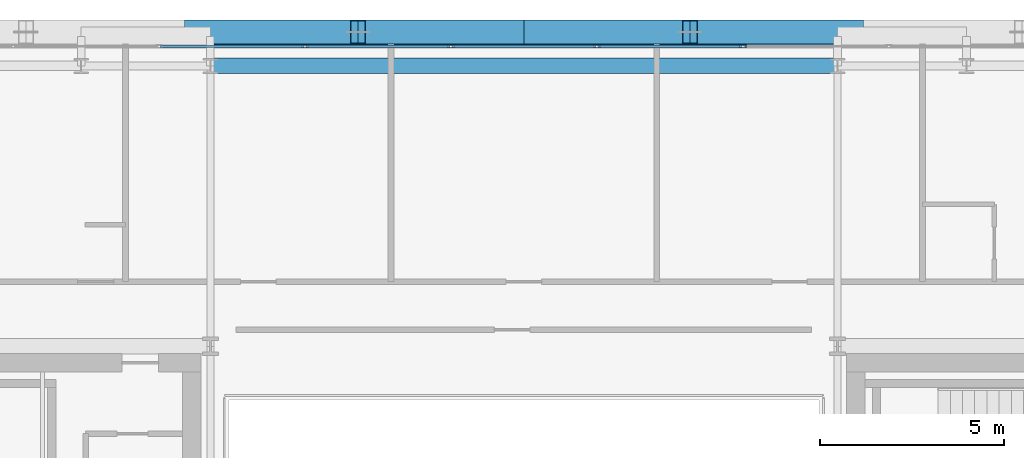
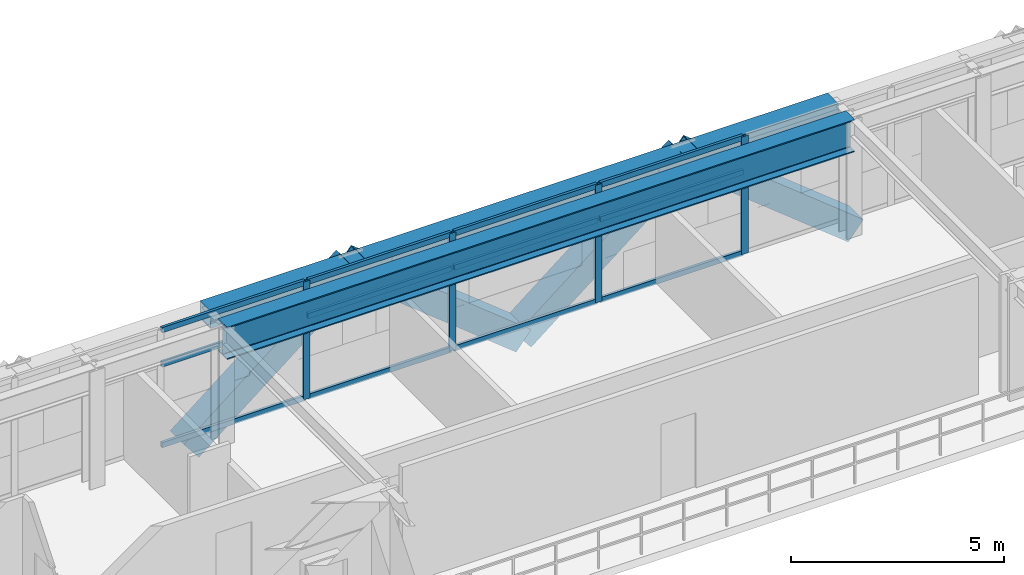
# One storey, part 17 of 30: 20 members, 2 beams, 1 element without a shape of its own.
"""IFC4 building model written with IfcOpenShell, lengths in metres."""

from ifc_helpers import new_model, si_unit, direction, frame, origin, origin_2d, place, context, subcontext, project, spatial, hollow_rectangle, i_section, extrude, source, transform, mapped, material, layer, layer_set, material_profile, profile_set, type_object, element, aggregate, save


model = new_model("IFC4")

# Units and contexts
model_context = context("Model", 3, precision=1e-05, world=origin(), true_north=direction((0.0, 1.0)))
body_context = subcontext(model_context, "Body", "Model", "MODEL_VIEW")
ifc_project = project(units=[si_unit("LENGTHUNIT", "METRE"), si_unit("AREAUNIT", "SQUARE_METRE"), si_unit("VOLUMEUNIT", "CUBIC_METRE"), si_unit("PLANEANGLEUNIT", "RADIAN"), si_unit("MASSUNIT", "GRAM", prefix="KILO")], contexts=[model_context])

# Site, building, storey
site_placement = place(None, origin())
site = spatial("IfcSite", under=ifc_project, at=site_placement, CompositionType="ELEMENT")
building_placement = place(site_placement, origin())
building = spatial("IfcBuilding", under=site, at=building_placement, Name="Ocotamira Hotel", CompositionType="ELEMENT")
storey_placement = place(building_placement, frame((0.0, 0.0, 195.60009765625)))
storey = spatial("IfcBuildingStorey", under=building, at=storey_placement, Name="L49", CompositionType="ELEMENT", Elevation=195.60009765625)

# Beams
ifc_material_1 = material(Name="Steel ASTM A992 Grade 50", Category="steel")
ifc_material_profile_1 = material_profile(ifc_material_1, i_section(OverallWidth=0.41796875, OverallDepth=0.927001953125, WebThickness=0.019287109375, FlangeThickness=0.031982421875, FilletRadius=0.02392578125, at=origin_2d()), Name="W36X231")
ifc_profile_set_1 = profile_set([ifc_material_profile_1], Name="Steel ASTM A992 Grade 50")
beam_type_1 = type_object("IfcBeamType", Name="BM-GIRD-W36X231", PredefinedType="BEAM", material=ifc_profile_set_1)
shared_shape_1 = source(origin(), body_context, "Body", "SweptSolid", [
    extrude(i_section(OverallWidth=0.41796875, OverallDepth=0.927001953125, WebThickness=0.019287109375, FlangeThickness=0.031982421875, FilletRadius=0.02392578125, at=origin_2d()), origin(), (0.0, 0.0, 1.0), 17.0),
])
beam_1_placement = place(storey_placement, frame((23.5, 45.050048828125, 2.906494140625), z_axis=(1.0, 0.0, 0.0), x_axis=(0.0, 1.0, 0.0)))
element("IfcBeam", 1, at=beam_1_placement, inside=storey, type_object=beam_type_1, Name="L49 Girder Y45.05 X23.5-40.5", PredefinedType="BEAM", context=body_context, shape_type="MappedRepresentation", body=[
    mapped(shared_shape_1, transform((0.0, 0.0, 0.0), scale=1.0)),
])
ifc_material_2 = material(Name="Steel ASTM A500 Grade C", Category="steel")
ifc_material_profile_2 = material_profile(ifc_material_2, hollow_rectangle(XDim=0.5, YDim=0.5, WallThickness=0.02001953125, at=origin_2d()), Name="HSS500X500X20")
ifc_profile_set_2 = profile_set([ifc_material_profile_2], Name="Steel ASTM A500 Grade C")
beam_type_2 = type_object("IfcBeamType", Name="BM-SPAN-HSS500", PredefinedType="USERDEFINED", material=ifc_profile_set_2)
shared_shape_2 = source(origin(), body_context, "Body", "SweptSolid", [
    extrude(hollow_rectangle(XDim=0.5, YDim=0.5, WallThickness=0.02001953125, at=origin_2d()), origin(), (0.0, 0.0, 1.0), 17.0),
])
beam_2_placement = place(storey_placement, frame((23.5, 45.85009765625, 3.119873046875), z_axis=(1.0, 0.0, 0.0), x_axis=(0.0, 1.0, 0.0)))
element("IfcBeam", 2, at=beam_2_placement, inside=storey, type_object=beam_type_2, Name="L49 Edge Spandrel N X23.5-40.5", ObjectType="SPANDREL", PredefinedType="USERDEFINED", context=body_context, shape_type="MappedRepresentation", body=[
    mapped(shared_shape_2, transform((0.0, 0.0, 0.0), scale=1.0)),
])

# Members
ifc_material_3 = material(Name="Pale-metal coated steel ASTM A913 Grade 65", Category="steel")
ifc_material_profile_3 = material_profile(ifc_material_3, hollow_rectangle(XDim=0.64990234375, YDim=0.64990234375, WallThickness=0.02197265625, at=origin_2d()), Name="BOX650X650X22")
ifc_profile_set_3 = profile_set([ifc_material_profile_3], Name="Pale-metal coated steel ASTM A913 Grade 65")
member_type_1 = type_object("IfcMemberType", Name="MEM-EXO-BOX650", PredefinedType="BRACE", material=ifc_profile_set_3)
shared_shape_3 = source(origin(), body_context, "Body", "SweptSolid", [
    extrude(hollow_rectangle(XDim=0.64990234375, YDim=0.64990234375, WallThickness=0.02197265625, at=origin_2d()), origin(), (0.0, 0.0, 1.0), 5.7626953125),
])
for number, where, z_axis, x_axis, name in (
    (3, (23.0, 45.969970703125, -0.47998046875), (0.780881208953, 0.0, 0.624679547852), (0.0, 1.0, 0.0), "L49 Exoskeleton Diagrid N1.1"),
    (4, (32.0, 45.969970703125, -0.47998046875), (-0.780881208953, 0.0, 0.624679547852), (0.0, -1.0, 0.0), "L49 Exoskeleton Diagrid N1.2"),
    (5, (32.0, 45.969970703125, -0.47998046875), (0.780881208953, 0.0, 0.624679547852), (0.0, 1.0, 0.0), "L49 Exoskeleton Diagrid N2.1"),
    (6, (41.0, 45.969970703125, -0.47998046875), (-0.780881208953, 0.0, 0.624679547852), (0.0, -1.0, 0.0), "L49 Exoskeleton Diagrid N2.2"),
):
    element("IfcMember", number, at=place(storey_placement, frame(where, z_axis=z_axis, x_axis=x_axis)), inside=storey, type_object=member_type_1, Name=name, PredefinedType="BRACE", context=body_context, shape_type="MappedRepresentation", body=[
        mapped(shared_shape_3, transform((0.0, 0.0, 0.0), scale=1.0)),
    ])

# Curtain wall, members
ifc_material_4 = material(Name="Anodised pale-metal aluminium and solar glass", Category="aluminium")
ifc_layer = layer(ifc_material_4, 0.199951171875)
ifc_layer_set = layer_set([ifc_layer], Name="Anodised pale-metal aluminium and solar glass")
curtain_wall_type = type_object("IfcCurtainWallType", Name="CW-SYS4-Z3", PredefinedType="NOTDEFINED", material=ifc_layer_set)
curtain_wall_placement = place(storey_placement, origin())
curtain_wall = element("IfcCurtainWall", 7, at=curtain_wall_placement, inside=storey, type_object=curtain_wall_type, Name="L49 Curtain Wall CW-4 CW-L49-N", PredefinedType="NOTDEFINED")
ifc_material_5 = material(Name="Anodised pale-metal aluminium 6063-T6", Category="aluminium")
ifc_material_profile_4 = material_profile(ifc_material_5, hollow_rectangle(XDim=0.074951171875, YDim=0.14990234375, WallThickness=0.006103515625, at=origin_2d()), Name="HSS150X75X6")
ifc_profile_set_4 = profile_set([ifc_material_profile_4], Name="Anodised pale-metal aluminium 6063-T6")
member_type_2 = type_object("IfcMemberType", Name="CWT-150X75", PredefinedType="USERDEFINED", material=ifc_profile_set_4)
shared_shape_4 = source(origin(), body_context, "Body", "SweptSolid", [
    extrude(hollow_rectangle(XDim=0.074951171875, YDim=0.14990234375, WallThickness=0.006103515625, at=origin_2d()), origin(), (0.0, 0.0, 1.0), 3.87548828125),
])
member_1_placement = place(storey_placement, frame((22.151123046875, 45.580078125, 0.037353515625), z_axis=(1.0, 0.0, 0.0), x_axis=(0.0, 1.0, 0.0)))
member_1 = element("IfcMember", 8, at=member_1_placement, type_object=member_type_2, Name="CW-4 transom 3.1", ObjectType="TRANSOM", PredefinedType="USERDEFINED", context=body_context, shape_type="MappedRepresentation", body=[
    mapped(shared_shape_4, transform((0.0, 0.0, 0.0), scale=1.0)),
])
member_2_placement = place(storey_placement, frame((22.151123046875, 45.580078125, 2.349853515625), z_axis=(1.0, 0.0, 0.0), x_axis=(0.0, 1.0, 0.0)))
member_2 = element("IfcMember", 9, at=member_2_placement, type_object=member_type_2, Name="CW-4 transom 3.2", ObjectType="TRANSOM", PredefinedType="USERDEFINED", context=body_context, shape_type="MappedRepresentation", body=[
    mapped(shared_shape_4, transform((0.0, 0.0, 0.0), scale=1.0)),
])
member_3_placement = place(storey_placement, frame((22.151123046875, 45.580078125, 3.33251953125), z_axis=(1.0, 0.0, 0.0), x_axis=(0.0, 1.0, 0.0)))
member_3 = element("IfcMember", 10, at=member_3_placement, type_object=member_type_2, Name="CW-4 transom 3.3", ObjectType="TRANSOM", PredefinedType="USERDEFINED", context=body_context, shape_type="MappedRepresentation", body=[
    mapped(shared_shape_4, transform((0.0, 0.0, 0.0), scale=1.0)),
])
member_4_placement = place(storey_placement, frame((26.106689453125, 45.580078125, 0.037353515625), z_axis=(1.0, 0.0, 0.0), x_axis=(0.0, 1.0, 0.0)))
member_4 = element("IfcMember", 11, at=member_4_placement, type_object=member_type_2, Name="CW-4 transom 4.1", ObjectType="TRANSOM", PredefinedType="USERDEFINED", context=body_context, shape_type="MappedRepresentation", body=[
    mapped(shared_shape_4, transform((0.0, 0.0, 0.0), scale=1.0)),
])
member_5_placement = place(storey_placement, frame((26.106689453125, 45.580078125, 2.349853515625), z_axis=(1.0, 0.0, 0.0), x_axis=(0.0, 1.0, 0.0)))
member_5 = element("IfcMember", 12, at=member_5_placement, type_object=member_type_2, Name="CW-4 transom 4.2", ObjectType="TRANSOM", PredefinedType="USERDEFINED", context=body_context, shape_type="MappedRepresentation", body=[
    mapped(shared_shape_4, transform((0.0, 0.0, 0.0), scale=1.0)),
])
member_6_placement = place(storey_placement, frame((26.106689453125, 45.580078125, 3.33251953125), z_axis=(1.0, 0.0, 0.0), x_axis=(0.0, 1.0, 0.0)))
member_6 = element("IfcMember", 13, at=member_6_placement, type_object=member_type_2, Name="CW-4 transom 4.3", ObjectType="TRANSOM", PredefinedType="USERDEFINED", context=body_context, shape_type="MappedRepresentation", body=[
    mapped(shared_shape_4, transform((0.0, 0.0, 0.0), scale=1.0)),
])
member_7_placement = place(storey_placement, frame((30.062255859375, 45.580078125, 0.037353515625), z_axis=(1.0, 0.0, 0.0), x_axis=(0.0, 1.0, 0.0)))
member_7 = element("IfcMember", 14, at=member_7_placement, type_object=member_type_2, Name="CW-4 transom 5.1", ObjectType="TRANSOM", PredefinedType="USERDEFINED", context=body_context, shape_type="MappedRepresentation", body=[
    mapped(shared_shape_4, transform((0.0, 0.0, 0.0), scale=1.0)),
])
member_8_placement = place(storey_placement, frame((30.062255859375, 45.580078125, 2.349853515625), z_axis=(1.0, 0.0, 0.0), x_axis=(0.0, 1.0, 0.0)))
member_8 = element("IfcMember", 15, at=member_8_placement, type_object=member_type_2, Name="CW-4 transom 5.2", ObjectType="TRANSOM", PredefinedType="USERDEFINED", context=body_context, shape_type="MappedRepresentation", body=[
    mapped(shared_shape_4, transform((0.0, 0.0, 0.0), scale=1.0)),
])
member_9_placement = place(storey_placement, frame((30.062255859375, 45.580078125, 3.33251953125), z_axis=(1.0, 0.0, 0.0), x_axis=(0.0, 1.0, 0.0)))
member_9 = element("IfcMember", 16, at=member_9_placement, type_object=member_type_2, Name="CW-4 transom 5.3", ObjectType="TRANSOM", PredefinedType="USERDEFINED", context=body_context, shape_type="MappedRepresentation", body=[
    mapped(shared_shape_4, transform((0.0, 0.0, 0.0), scale=1.0)),
])
member_10_placement = place(storey_placement, frame((34.017822265625, 45.580078125, 0.037353515625), z_axis=(1.0, 0.0, 0.0), x_axis=(0.0, 1.0, 0.0)))
member_10 = element("IfcMember", 17, at=member_10_placement, type_object=member_type_2, Name="CW-4 transom 6.1", ObjectType="TRANSOM", PredefinedType="USERDEFINED", context=body_context, shape_type="MappedRepresentation", body=[
    mapped(shared_shape_4, transform((0.0, 0.0, 0.0), scale=1.0)),
])
member_11_placement = place(storey_placement, frame((34.017822265625, 45.580078125, 2.349853515625), z_axis=(1.0, 0.0, 0.0), x_axis=(0.0, 1.0, 0.0)))
member_11 = element("IfcMember", 18, at=member_11_placement, type_object=member_type_2, Name="CW-4 transom 6.2", ObjectType="TRANSOM", PredefinedType="USERDEFINED", context=body_context, shape_type="MappedRepresentation", body=[
    mapped(shared_shape_4, transform((0.0, 0.0, 0.0), scale=1.0)),
])
member_12_placement = place(storey_placement, frame((34.017822265625, 45.580078125, 3.33251953125), z_axis=(1.0, 0.0, 0.0), x_axis=(0.0, 1.0, 0.0)))
member_12 = element("IfcMember", 19, at=member_12_placement, type_object=member_type_2, Name="CW-4 transom 6.3", ObjectType="TRANSOM", PredefinedType="USERDEFINED", context=body_context, shape_type="MappedRepresentation", body=[
    mapped(shared_shape_4, transform((0.0, 0.0, 0.0), scale=1.0)),
])
ifc_material_profile_5 = material_profile(ifc_material_5, hollow_rectangle(XDim=0.080078125, YDim=0.179931640625, WallThickness=0.006103515625, at=origin_2d()), Name="HSS180X80X6")
ifc_profile_set_5 = profile_set([ifc_material_profile_5], Name="Anodised pale-metal aluminium 6063-T6")
member_type_3 = type_object("IfcMemberType", Name="CWM-180X75", PredefinedType="MULLION", material=ifc_profile_set_5)
shared_shape_5 = source(origin(), body_context, "Body", "SweptSolid", [
    extrude(hollow_rectangle(XDim=0.080078125, YDim=0.179931640625, WallThickness=0.006103515625, at=origin_2d()), origin(), (0.0, 0.0, 1.0), 3.369873046875),
])
member_13_placement = place(storey_placement, frame((26.066650390625, 45.580078125, 0.0), z_axis=(0.0, 0.0, 1.0), x_axis=(0.0, 1.0, 0.0)))
member_13 = element("IfcMember", 20, at=member_13_placement, type_object=member_type_3, Name="CW-4 mullion 4", PredefinedType="MULLION", context=body_context, shape_type="MappedRepresentation", body=[
    mapped(shared_shape_5, transform((0.0, 0.0, 0.0), scale=1.0)),
])
member_14_placement = place(storey_placement, frame((30.022216796875, 45.580078125, 0.0), z_axis=(0.0, 0.0, 1.0), x_axis=(0.0, 1.0, 0.0)))
member_14 = element("IfcMember", 21, at=member_14_placement, type_object=member_type_3, Name="CW-4 mullion 5", PredefinedType="MULLION", context=body_context, shape_type="MappedRepresentation", body=[
    mapped(shared_shape_5, transform((0.0, 0.0, 0.0), scale=1.0)),
])
member_15_placement = place(storey_placement, frame((33.977783203125, 45.580078125, 0.0), z_axis=(0.0, 0.0, 1.0), x_axis=(0.0, 1.0, 0.0)))
member_15 = element("IfcMember", 22, at=member_15_placement, type_object=member_type_3, Name="CW-4 mullion 6", PredefinedType="MULLION", context=body_context, shape_type="MappedRepresentation", body=[
    mapped(shared_shape_5, transform((0.0, 0.0, 0.0), scale=1.0)),
])
member_16_placement = place(storey_placement, frame((37.933349609375, 45.580078125, 0.0), z_axis=(0.0, 0.0, 1.0), x_axis=(0.0, 1.0, 0.0)))
member_16 = element("IfcMember", 23, at=member_16_placement, type_object=member_type_3, Name="CW-4 mullion 7", PredefinedType="MULLION", context=body_context, shape_type="MappedRepresentation", body=[
    mapped(shared_shape_5, transform((0.0, 0.0, 0.0), scale=1.0)),
])
aggregate(curtain_wall, [member_13, member_14, member_15, member_16, member_1, member_2, member_3, member_4, member_5, member_6, member_7, member_8, member_9, member_10, member_11, member_12])

save(model, "model.ifc")
